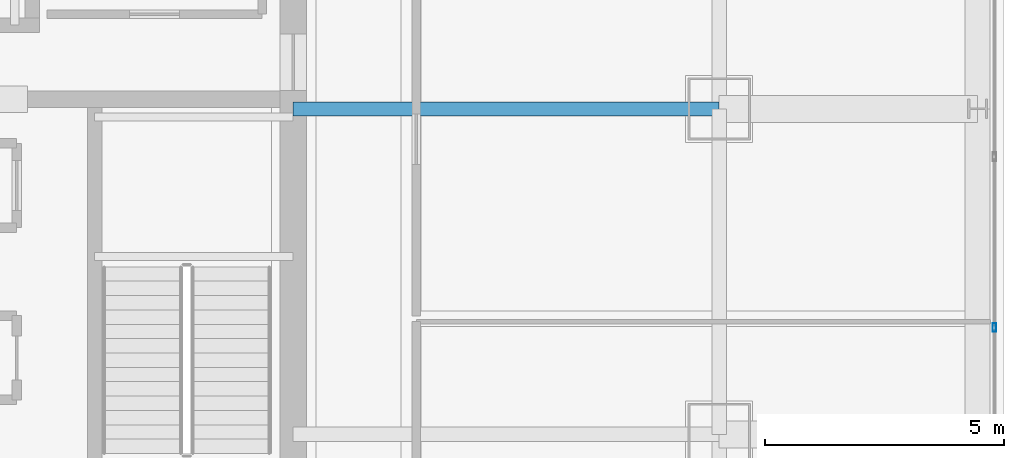
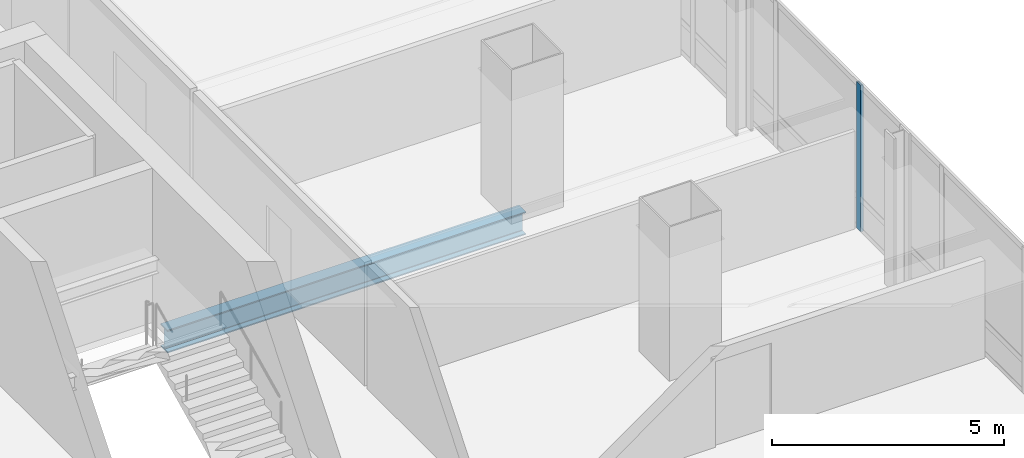
# One storey, part 18 of 42: 1 beam, 1 member, 1 element without a shape of its own.
"""IFC4 building model written with IfcOpenShell, lengths in metres."""

from ifc_helpers import new_model, si_unit, direction, frame, origin, origin_2d, place, context, subcontext, project, spatial, hollow_rectangle, i_section, extrude, material, material_profile, profile_set, type_object, element, aggregate, save


model = new_model("IFC4")

# Units and contexts
model_context = context("Model", 3, precision=1e-05, world=origin(), true_north=direction((0.0, 1.0)))
body_context = subcontext(model_context, "Body", "Model", "MODEL_VIEW")
ifc_project = project(units=[si_unit("LENGTHUNIT", "METRE"), si_unit("AREAUNIT", "SQUARE_METRE"), si_unit("VOLUMEUNIT", "CUBIC_METRE"), si_unit("PLANEANGLEUNIT", "RADIAN"), si_unit("MASSUNIT", "GRAM", prefix="KILO")], contexts=[model_context])

# Site, building, storey
site_placement = place(None, origin())
site = spatial("IfcSite", under=ifc_project, at=site_placement, CompositionType="ELEMENT")
building_placement = place(site_placement, origin())
building = spatial("IfcBuilding", under=site, at=building_placement, Name="Punatoya Terracotta Tower", CompositionType="ELEMENT")
storey_placement = place(building_placement, frame((0.0, 0.0, 259.5)))
storey = spatial("IfcBuildingStorey", under=building, at=storey_placement, Name="L61", CompositionType="ELEMENT", Elevation=259.5)

# Beam
ifc_material_1 = material(Name="Steel S355", Category="steel")
ifc_material_profile_1 = material_profile(ifc_material_1, i_section(OverallWidth=0.300048828125, OverallDepth=0.60009765625, WebThickness=0.015380859375, FlangeThickness=0.030029296875, FilletRadius=0.01806640625, at=origin_2d()))
ifc_profile_set_1 = profile_set([ifc_material_profile_1], Name="Steel S355")
beam_type = type_object("IfcBeamType", Name="BM-PRI-600", PredefinedType="BEAM", material=ifc_profile_set_1)
beam_placement = place(storey_placement, frame((10.199951171875, 3.39990234375, -0.5), z_axis=(1.0, 0.0, 0.0), x_axis=(0.0, 1.0, 0.0)))
element("IfcBeam", 1, at=beam_placement, inside=storey, type_object=beam_type, Name="BM-L61-PR-EE", PredefinedType="BEAM", context=body_context, shape_type="SweptSolid", body=[
    extrude(i_section(OverallWidth=0.300048828125, OverallDepth=0.60009765625, WebThickness=0.015380859375, FlangeThickness=0.030029296875, FilletRadius=0.01806640625, at=origin_2d()), origin(), (0.0, 0.0, 1.0), 8.900146484375),
])

# Curtain wall, member
ifc_material_2 = material(Name="Aluminium 6063-T6 + Double Low-E Glass", Category="aluminium")
curtain_wall_type = type_object("IfcCurtainWallType", Name="CW-M3", PredefinedType="NOTDEFINED", material=ifc_material_2)
curtain_wall_placement = place(storey_placement, origin())
curtain_wall = element("IfcCurtainWall", 2, at=curtain_wall_placement, inside=storey, type_object=curtain_wall_type, Name="L61 Curtain Wall CW-L61-E05-1", PredefinedType="NOTDEFINED")
ifc_material_3 = material(Name="Aluminium 6063-T6", Category="aluminium")
ifc_material_profile_2 = material_profile(ifc_material_3, hollow_rectangle(XDim=0.070068359375, YDim=0.179931640625, WallThickness=0.00390625, at=origin_2d()))
ifc_profile_set_2 = profile_set([ifc_material_profile_2], Name="Aluminium 6063-T6")
member_type = type_object("IfcMemberType", Name="CW-MUL-M3", PredefinedType="MULLION", material=ifc_profile_set_2)
member_placement = place(storey_placement, frame((24.85009765625, -1.16748046875, 0.0), z_axis=(0.0, 0.0, 1.0), x_axis=(1.0, 0.0, 0.0)))
member = element("IfcMember", 3, at=member_placement, type_object=member_type, Name="CW-L61-E05-1 Mullion 04", PredefinedType="MULLION", context=body_context, shape_type="SweptSolid", body=[
    extrude(hollow_rectangle(XDim=0.070068359375, YDim=0.179931640625, WallThickness=0.00390625, at=origin_2d()), origin(), (0.0, 0.0, 1.0), 3.85009765625),
])
aggregate(curtain_wall, [member])

save(model, "model.ifc")
